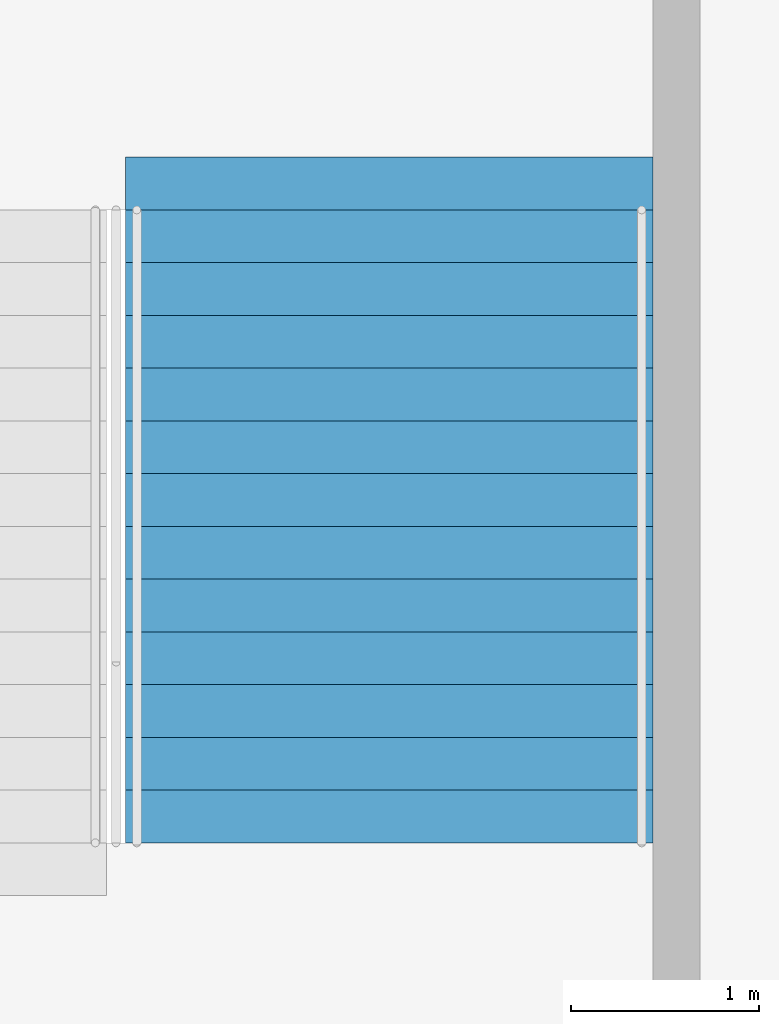
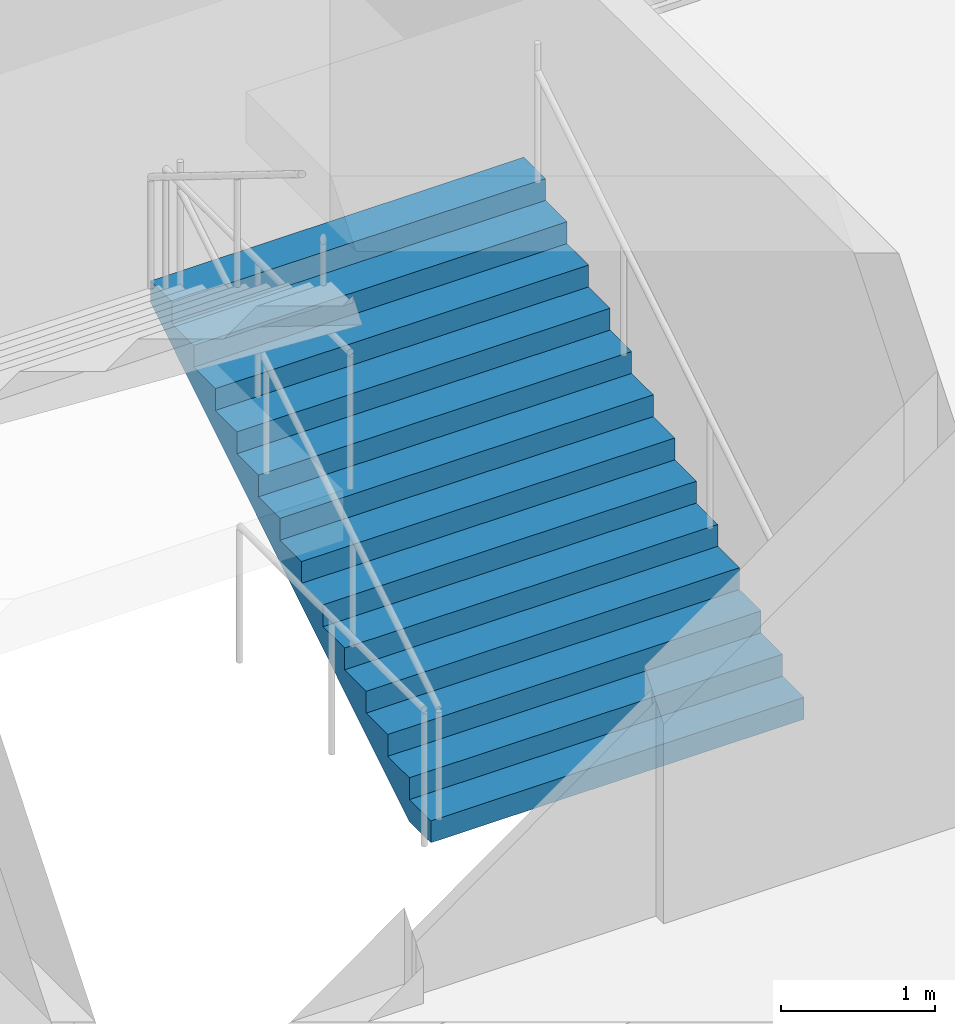
# One storey, part 169 of 199: 1 stair flight, 1 element without a shape of its own.
"""IFC4 building model written with IfcOpenShell, lengths in metres."""

from ifc_helpers import new_model, si_unit, direction, frame, origin, place, context, subcontext, project, spatial, faceted_brep, material, type_object, element, aggregate, save


model = new_model("IFC4")

# Units and contexts
model_context = context("Model", 3, precision=1e-05, world=origin(), true_north=direction((0.0, 1.0)))
body_context = subcontext(model_context, "Body", "Model", "MODEL_VIEW")
ifc_project = project(units=[si_unit("LENGTHUNIT", "METRE"), si_unit("AREAUNIT", "SQUARE_METRE"), si_unit("VOLUMEUNIT", "CUBIC_METRE"), si_unit("PLANEANGLEUNIT", "RADIAN"), si_unit("MASSUNIT", "GRAM", prefix="KILO")], contexts=[model_context])

# Site, building, storey
site_placement = place(None, origin())
site = spatial("IfcSite", under=ifc_project, at=site_placement, CompositionType="ELEMENT")
building_placement = place(site_placement, origin())
building = spatial("IfcBuilding", under=site, at=building_placement, Name="Ogive Plaza Stadium", CompositionType="ELEMENT")
storey_placement = place(building_placement, frame((0.0, 0.0, 4.5)))
storey = spatial("IfcBuildingStorey", under=building, at=storey_placement, Name="L01", CompositionType="ELEMENT", Elevation=4.5)

# Stair, stair flight
ifc_material_1 = material(Name="Concrete C40/50", Category="concrete")
stair_type = type_object("IfcStairType", Name="Exit stair", PredefinedType="STRAIGHT_RUN_STAIR", material=ifc_material_1)
stair_placement = place(storey_placement, origin())
stair = element("IfcStair", 1, at=stair_placement, inside=storey, type_object=stair_type, Name="Exit stair ST34A L01 to L02", PredefinedType="STRAIGHT_RUN_STAIR")
ifc_material_2 = material(Name="Concrete C40/50", Category="concrete")
stair_flight_type = type_object("IfcStairFlightType", Name="Exit stair flight", PredefinedType="STRAIGHT", material=ifc_material_2)
stair_flight_placement = place(storey_placement, frame((-2.375, 94.85009765625, 0.0), z_axis=(0.0, 0.0, 1.0), x_axis=(0.0, 1.0, 0.0)))
stair_flight = element("IfcStairFlight", 2, at=stair_flight_placement, type_object=stair_flight_type, Name="ST34A flight 1", NumberOfRisers=13, NumberOfTreads=12, PredefinedType="STRAIGHT", RiserHeight=0.173076923, TreadLength=0.28, context=body_context, shape_type="Brep", body=[
    faceted_brep([(0.28515625, -1.39990234375, 0.0), (3.639892578125, -1.39990234375, 2.07373046875), (3.639892578125, -1.39990234375, 2.25), (3.360107421875, -1.39990234375, 2.25), (3.360107421875, -1.39990234375, 2.076904296875), (3.080078125, -1.39990234375, 2.076904296875), (3.080078125, -1.39990234375, 1.90380859375), (2.800048828125, -1.39990234375, 1.90380859375), (2.800048828125, -1.39990234375, 1.730712890625), (2.52001953125, -1.39990234375, 1.730712890625), (2.52001953125, -1.39990234375, 1.5576171875), (2.239990234375, -1.39990234375, 1.5576171875), (2.239990234375, -1.39990234375, 1.384521484375), (1.9599609375, -1.39990234375, 1.384521484375), (1.9599609375, -1.39990234375, 1.21142578125), (1.679931640625, -1.39990234375, 1.21142578125), (1.679931640625, -1.39990234375, 1.03857421875), (1.39990234375, -1.39990234375, 1.03857421875), (1.39990234375, -1.39990234375, 0.865478515625), (1.1201171875, -1.39990234375, 0.865478515625), (1.1201171875, -1.39990234375, 0.6923828125), (0.840087890625, -1.39990234375, 0.6923828125), (0.840087890625, -1.39990234375, 0.519287109375), (0.56005859375, -1.39990234375, 0.519287109375), (0.56005859375, -1.39990234375, 0.34619140625), (0.280029296875, -1.39990234375, 0.34619140625), (0.280029296875, -1.39990234375, 0.173095703125), (0.0, -1.39990234375, 0.173095703125), (0.0, -1.39990234375, 0.0), (0.0, 1.39990234375, 0.0), (0.0, 1.39990234375, 0.173095703125), (0.280029296875, 1.39990234375, 0.173095703125), (0.280029296875, 1.39990234375, 0.34619140625), (0.56005859375, 1.39990234375, 0.34619140625), (0.56005859375, 1.39990234375, 0.519287109375), (0.840087890625, 1.39990234375, 0.519287109375), (0.840087890625, 1.39990234375, 0.6923828125), (1.1201171875, 1.39990234375, 0.6923828125), (1.1201171875, 1.39990234375, 0.865478515625), (1.39990234375, 1.39990234375, 0.865478515625), (1.39990234375, 1.39990234375, 1.03857421875), (1.679931640625, 1.39990234375, 1.03857421875), (1.679931640625, 1.39990234375, 1.21142578125), (1.9599609375, 1.39990234375, 1.21142578125), (1.9599609375, 1.39990234375, 1.384521484375), (2.239990234375, 1.39990234375, 1.384521484375), (2.239990234375, 1.39990234375, 1.5576171875), (2.52001953125, 1.39990234375, 1.5576171875), (2.52001953125, 1.39990234375, 1.730712890625), (2.800048828125, 1.39990234375, 1.730712890625), (2.800048828125, 1.39990234375, 1.90380859375), (3.080078125, 1.39990234375, 1.90380859375), (3.080078125, 1.39990234375, 2.076904296875), (3.360107421875, 1.39990234375, 2.076904296875), (3.360107421875, 1.39990234375, 2.25), (3.639892578125, 1.39990234375, 2.25), (3.639892578125, 1.39990234375, 2.07373046875), (0.28515625, 1.39990234375, 0.0), (0.28515625, -1.0888671875, 0.0), (3.639892578125, -1.0888671875, 2.07373046875), (0.28515625, -0.77783203125, 0.0), (3.639892578125, -0.77783203125, 2.07373046875), (0.28515625, -0.466796875, 0.0), (3.639892578125, -0.466796875, 2.07373046875), (0.28515625, -0.155517578125, 0.0), (3.639892578125, -0.155517578125, 2.07373046875), (0.28515625, 0.155517578125, 0.0), (3.639892578125, 0.155517578125, 2.07373046875), (0.28515625, 0.466796875, 0.0), (3.639892578125, 0.466796875, 2.07373046875), (0.28515625, 0.77783203125, 0.0), (3.639892578125, 0.77783203125, 2.07373046875), (0.28515625, 1.0888671875, 0.0), (3.639892578125, 1.0888671875, 2.07373046875), (3.639892578125, -1.0888671875, 2.25), (3.639892578125, -0.77783203125, 2.25), (3.639892578125, -0.466796875, 2.25), (3.639892578125, -0.155517578125, 2.25), (3.639892578125, 0.155517578125, 2.25), (3.639892578125, 0.466796875, 2.25), (3.639892578125, 0.77783203125, 2.25), (3.639892578125, 1.0888671875, 2.25), (3.360107421875, -1.0888671875, 2.25), (3.360107421875, -0.77783203125, 2.25), (3.360107421875, -0.466796875, 2.25), (3.360107421875, -0.155517578125, 2.25), (3.360107421875, 0.155517578125, 2.25), (3.360107421875, 0.466796875, 2.25), (3.360107421875, 0.77783203125, 2.25), (3.360107421875, 1.0888671875, 2.25), (3.360107421875, -1.0888671875, 2.076904296875), (3.360107421875, -0.77783203125, 2.076904296875), (3.360107421875, -0.466796875, 2.076904296875), (3.360107421875, -0.155517578125, 2.076904296875), (3.360107421875, 0.155517578125, 2.076904296875), (3.360107421875, 0.466796875, 2.076904296875), (3.360107421875, 0.77783203125, 2.076904296875), (3.360107421875, 1.0888671875, 2.076904296875), (3.080078125, -1.0888671875, 2.076904296875), (3.080078125, -0.77783203125, 2.076904296875), (3.080078125, -0.466796875, 2.076904296875), (3.080078125, -0.155517578125, 2.076904296875), (3.080078125, 0.155517578125, 2.076904296875), (3.080078125, 0.466796875, 2.076904296875), (3.080078125, 0.77783203125, 2.076904296875), (3.080078125, 1.0888671875, 2.076904296875), (3.080078125, -1.0888671875, 1.90380859375), (3.080078125, -0.77783203125, 1.90380859375), (3.080078125, -0.466796875, 1.90380859375), (3.080078125, -0.155517578125, 1.90380859375), (3.080078125, 0.155517578125, 1.90380859375), (3.080078125, 0.466796875, 1.90380859375), (3.080078125, 0.77783203125, 1.90380859375), (3.080078125, 1.0888671875, 1.90380859375), (2.800048828125, -1.0888671875, 1.90380859375), (2.800048828125, -0.77783203125, 1.90380859375), (2.800048828125, -0.466796875, 1.90380859375), (2.800048828125, -0.155517578125, 1.90380859375), (2.800048828125, 0.155517578125, 1.90380859375), (2.800048828125, 0.466796875, 1.90380859375), (2.800048828125, 0.77783203125, 1.90380859375), (2.800048828125, 1.0888671875, 1.90380859375), (2.800048828125, -1.0888671875, 1.730712890625), (2.800048828125, -0.77783203125, 1.730712890625), (2.800048828125, -0.466796875, 1.730712890625), (2.800048828125, -0.155517578125, 1.730712890625), (2.800048828125, 0.155517578125, 1.730712890625), (2.800048828125, 0.466796875, 1.730712890625), (2.800048828125, 0.77783203125, 1.730712890625), (2.800048828125, 1.0888671875, 1.730712890625), (2.52001953125, -1.0888671875, 1.730712890625), (2.52001953125, -0.77783203125, 1.730712890625), (2.52001953125, -0.466796875, 1.730712890625), (2.52001953125, -0.155517578125, 1.730712890625), (2.52001953125, 0.155517578125, 1.730712890625), (2.52001953125, 0.466796875, 1.730712890625), (2.52001953125, 0.77783203125, 1.730712890625), (2.52001953125, 1.0888671875, 1.730712890625), (2.52001953125, -1.0888671875, 1.5576171875), (2.52001953125, -0.77783203125, 1.5576171875), (2.52001953125, -0.466796875, 1.5576171875), (2.52001953125, -0.155517578125, 1.5576171875), (2.52001953125, 0.155517578125, 1.5576171875), (2.52001953125, 0.466796875, 1.5576171875), (2.52001953125, 0.77783203125, 1.5576171875), (2.52001953125, 1.0888671875, 1.5576171875), (2.239990234375, -1.0888671875, 1.5576171875), (2.239990234375, -0.77783203125, 1.5576171875), (2.239990234375, -0.466796875, 1.5576171875), (2.239990234375, -0.155517578125, 1.5576171875), (2.239990234375, 0.155517578125, 1.5576171875), (2.239990234375, 0.466796875, 1.5576171875), (2.239990234375, 0.77783203125, 1.5576171875), (2.239990234375, 1.0888671875, 1.5576171875), (2.239990234375, -1.0888671875, 1.384521484375), (2.239990234375, -0.77783203125, 1.384521484375), (2.239990234375, -0.466796875, 1.384521484375), (2.239990234375, -0.155517578125, 1.384521484375), (2.239990234375, 0.155517578125, 1.384521484375), (2.239990234375, 0.466796875, 1.384521484375), (2.239990234375, 0.77783203125, 1.384521484375), (2.239990234375, 1.0888671875, 1.384521484375), (1.9599609375, -1.0888671875, 1.384521484375), (1.9599609375, -0.77783203125, 1.384521484375), (1.9599609375, -0.466796875, 1.384521484375), (1.9599609375, -0.155517578125, 1.384521484375), (1.9599609375, 0.155517578125, 1.384521484375), (1.9599609375, 0.466796875, 1.384521484375), (1.9599609375, 0.77783203125, 1.384521484375), (1.9599609375, 1.0888671875, 1.384521484375), (1.9599609375, -1.0888671875, 1.21142578125), (1.9599609375, -0.77783203125, 1.21142578125), (1.9599609375, -0.466796875, 1.21142578125), (1.9599609375, -0.155517578125, 1.21142578125), (1.9599609375, 0.155517578125, 1.21142578125), (1.9599609375, 0.466796875, 1.21142578125), (1.9599609375, 0.77783203125, 1.21142578125), (1.9599609375, 1.0888671875, 1.21142578125), (1.679931640625, -1.0888671875, 1.21142578125), (1.679931640625, -0.77783203125, 1.21142578125), (1.679931640625, -0.466796875, 1.21142578125), (1.679931640625, -0.155517578125, 1.21142578125), (1.679931640625, 0.155517578125, 1.21142578125), (1.679931640625, 0.466796875, 1.21142578125), (1.679931640625, 0.77783203125, 1.21142578125), (1.679931640625, 1.0888671875, 1.21142578125), (1.679931640625, -1.0888671875, 1.03857421875), (1.679931640625, -0.77783203125, 1.03857421875), (1.679931640625, -0.466796875, 1.03857421875), (1.679931640625, -0.155517578125, 1.03857421875), (1.679931640625, 0.155517578125, 1.03857421875), (1.679931640625, 0.466796875, 1.03857421875), (1.679931640625, 0.77783203125, 1.03857421875), (1.679931640625, 1.0888671875, 1.03857421875), (1.39990234375, -1.0888671875, 1.03857421875), (1.39990234375, -0.77783203125, 1.03857421875), (1.39990234375, -0.466796875, 1.03857421875), (1.39990234375, -0.155517578125, 1.03857421875), (1.39990234375, 0.155517578125, 1.03857421875), (1.39990234375, 0.466796875, 1.03857421875), (1.39990234375, 0.77783203125, 1.03857421875), (1.39990234375, 1.0888671875, 1.03857421875), (1.39990234375, -1.0888671875, 0.865478515625), (1.39990234375, -0.77783203125, 0.865478515625), (1.39990234375, -0.466796875, 0.865478515625), (1.39990234375, -0.155517578125, 0.865478515625), (1.39990234375, 0.155517578125, 0.865478515625), (1.39990234375, 0.466796875, 0.865478515625), (1.39990234375, 0.77783203125, 0.865478515625), (1.39990234375, 1.0888671875, 0.865478515625), (1.1201171875, -1.0888671875, 0.865478515625), (1.1201171875, -0.77783203125, 0.865478515625), (1.1201171875, -0.466796875, 0.865478515625), (1.1201171875, -0.155517578125, 0.865478515625), (1.1201171875, 0.155517578125, 0.865478515625), (1.1201171875, 0.466796875, 0.865478515625), (1.1201171875, 0.77783203125, 0.865478515625), (1.1201171875, 1.0888671875, 0.865478515625), (1.1201171875, -1.0888671875, 0.6923828125), (1.1201171875, -0.77783203125, 0.6923828125), (1.1201171875, -0.466796875, 0.6923828125), (1.1201171875, -0.155517578125, 0.6923828125), (1.1201171875, 0.155517578125, 0.6923828125), (1.1201171875, 0.466796875, 0.6923828125), (1.1201171875, 0.77783203125, 0.6923828125), (1.1201171875, 1.0888671875, 0.6923828125), (0.840087890625, -1.0888671875, 0.6923828125), (0.840087890625, -0.77783203125, 0.6923828125), (0.840087890625, -0.466796875, 0.6923828125), (0.840087890625, -0.155517578125, 0.6923828125), (0.840087890625, 0.155517578125, 0.6923828125), (0.840087890625, 0.466796875, 0.6923828125), (0.840087890625, 0.77783203125, 0.6923828125), (0.840087890625, 1.0888671875, 0.6923828125), (0.840087890625, -1.0888671875, 0.519287109375), (0.840087890625, -0.77783203125, 0.519287109375), (0.840087890625, -0.466796875, 0.519287109375), (0.840087890625, -0.155517578125, 0.519287109375), (0.840087890625, 0.155517578125, 0.519287109375), (0.840087890625, 0.466796875, 0.519287109375), (0.840087890625, 0.77783203125, 0.519287109375), (0.840087890625, 1.0888671875, 0.519287109375), (0.56005859375, -1.0888671875, 0.519287109375), (0.56005859375, -0.77783203125, 0.519287109375), (0.56005859375, -0.466796875, 0.519287109375), (0.56005859375, -0.155517578125, 0.519287109375), (0.56005859375, 0.155517578125, 0.519287109375), (0.56005859375, 0.466796875, 0.519287109375), (0.56005859375, 0.77783203125, 0.519287109375), (0.56005859375, 1.0888671875, 0.519287109375), (0.56005859375, -1.0888671875, 0.34619140625), (0.56005859375, -0.77783203125, 0.34619140625), (0.56005859375, -0.466796875, 0.34619140625), (0.56005859375, -0.155517578125, 0.34619140625), (0.56005859375, 0.155517578125, 0.34619140625), (0.56005859375, 0.466796875, 0.34619140625), (0.56005859375, 0.77783203125, 0.34619140625), (0.56005859375, 1.0888671875, 0.34619140625), (0.280029296875, -1.0888671875, 0.34619140625), (0.280029296875, -0.77783203125, 0.34619140625), (0.280029296875, -0.466796875, 0.34619140625), (0.280029296875, -0.155517578125, 0.34619140625), (0.280029296875, 0.155517578125, 0.34619140625), (0.280029296875, 0.466796875, 0.34619140625), (0.280029296875, 0.77783203125, 0.34619140625), (0.280029296875, 1.0888671875, 0.34619140625), (0.280029296875, -1.0888671875, 0.173095703125), (0.280029296875, -0.77783203125, 0.173095703125), (0.280029296875, -0.466796875, 0.173095703125), (0.280029296875, -0.155517578125, 0.173095703125), (0.280029296875, 0.155517578125, 0.173095703125), (0.280029296875, 0.466796875, 0.173095703125), (0.280029296875, 0.77783203125, 0.173095703125), (0.280029296875, 1.0888671875, 0.173095703125), (0.0, -1.0888671875, 0.173095703125), (0.0, -0.77783203125, 0.173095703125), (0.0, -0.466796875, 0.173095703125), (0.0, -0.155517578125, 0.173095703125), (0.0, 0.155517578125, 0.173095703125), (0.0, 0.466796875, 0.173095703125), (0.0, 0.77783203125, 0.173095703125), (0.0, 1.0888671875, 0.173095703125), (0.0, -1.0888671875, 0.0), (0.0, -0.77783203125, 0.0), (0.0, -0.466796875, 0.0), (0.0, -0.155517578125, 0.0), (0.0, 0.155517578125, 0.0), (0.0, 0.466796875, 0.0), (0.0, 0.77783203125, 0.0), (0.0, 1.0888671875, 0.0)], [[[0, 1, 2, 3, 4, 5, 6, 7, 8, 9, 10, 11, 12, 13, 14, 15, 16, 17, 18, 19, 20, 21, 22, 23, 24, 25, 26, 27, 28]], [[29, 30, 31, 32, 33, 34, 35, 36, 37, 38, 39, 40, 41, 42, 43, 44, 45, 46, 47, 48, 49, 50, 51, 52, 53, 54, 55, 56, 57]], [[0, 58, 59, 1]], [[58, 60, 61, 59]], [[60, 62, 63, 61]], [[62, 64, 65, 63]], [[64, 66, 67, 65]], [[66, 68, 69, 67]], [[68, 70, 71, 69]], [[70, 72, 73, 71]], [[72, 57, 56, 73]], [[1, 59, 74, 2]], [[59, 61, 75, 74]], [[61, 63, 76, 75]], [[63, 65, 77, 76]], [[65, 67, 78, 77]], [[67, 69, 79, 78]], [[69, 71, 80, 79]], [[71, 73, 81, 80]], [[73, 56, 55, 81]], [[2, 74, 82, 3]], [[74, 75, 83, 82]], [[75, 76, 84, 83]], [[76, 77, 85, 84]], [[77, 78, 86, 85]], [[78, 79, 87, 86]], [[79, 80, 88, 87]], [[80, 81, 89, 88]], [[81, 55, 54, 89]], [[3, 82, 90, 4]], [[82, 83, 91, 90]], [[83, 84, 92, 91]], [[84, 85, 93, 92]], [[85, 86, 94, 93]], [[86, 87, 95, 94]], [[87, 88, 96, 95]], [[88, 89, 97, 96]], [[89, 54, 53, 97]], [[4, 90, 98, 5]], [[90, 91, 99, 98]], [[91, 92, 100, 99]], [[92, 93, 101, 100]], [[93, 94, 102, 101]], [[94, 95, 103, 102]], [[95, 96, 104, 103]], [[96, 97, 105, 104]], [[97, 53, 52, 105]], [[5, 98, 106, 6]], [[98, 99, 107, 106]], [[99, 100, 108, 107]], [[100, 101, 109, 108]], [[101, 102, 110, 109]], [[102, 103, 111, 110]], [[103, 104, 112, 111]], [[104, 105, 113, 112]], [[105, 52, 51, 113]], [[6, 106, 114, 7]], [[106, 107, 115, 114]], [[107, 108, 116, 115]], [[108, 109, 117, 116]], [[109, 110, 118, 117]], [[110, 111, 119, 118]], [[111, 112, 120, 119]], [[112, 113, 121, 120]], [[113, 51, 50, 121]], [[7, 114, 122, 8]], [[114, 115, 123, 122]], [[115, 116, 124, 123]], [[116, 117, 125, 124]], [[117, 118, 126, 125]], [[118, 119, 127, 126]], [[119, 120, 128, 127]], [[120, 121, 129, 128]], [[121, 50, 49, 129]], [[8, 122, 130, 9]], [[122, 123, 131, 130]], [[123, 124, 132, 131]], [[124, 125, 133, 132]], [[125, 126, 134, 133]], [[126, 127, 135, 134]], [[127, 128, 136, 135]], [[128, 129, 137, 136]], [[129, 49, 48, 137]], [[9, 130, 138, 10]], [[130, 131, 139, 138]], [[131, 132, 140, 139]], [[132, 133, 141, 140]], [[133, 134, 142, 141]], [[134, 135, 143, 142]], [[135, 136, 144, 143]], [[136, 137, 145, 144]], [[137, 48, 47, 145]], [[10, 138, 146, 11]], [[138, 139, 147, 146]], [[139, 140, 148, 147]], [[140, 141, 149, 148]], [[141, 142, 150, 149]], [[142, 143, 151, 150]], [[143, 144, 152, 151]], [[144, 145, 153, 152]], [[145, 47, 46, 153]], [[11, 146, 154, 12]], [[146, 147, 155, 154]], [[147, 148, 156, 155]], [[148, 149, 157, 156]], [[149, 150, 158, 157]], [[150, 151, 159, 158]], [[151, 152, 160, 159]], [[152, 153, 161, 160]], [[153, 46, 45, 161]], [[12, 154, 162, 13]], [[154, 155, 163, 162]], [[155, 156, 164, 163]], [[156, 157, 165, 164]], [[157, 158, 166, 165]], [[158, 159, 167, 166]], [[159, 160, 168, 167]], [[160, 161, 169, 168]], [[161, 45, 44, 169]], [[13, 162, 170, 14]], [[162, 163, 171, 170]], [[163, 164, 172, 171]], [[164, 165, 173, 172]], [[165, 166, 174, 173]], [[166, 167, 175, 174]], [[167, 168, 176, 175]], [[168, 169, 177, 176]], [[169, 44, 43, 177]], [[14, 170, 178, 15]], [[170, 171, 179, 178]], [[171, 172, 180, 179]], [[172, 173, 181, 180]], [[173, 174, 182, 181]], [[174, 175, 183, 182]], [[175, 176, 184, 183]], [[176, 177, 185, 184]], [[177, 43, 42, 185]], [[15, 178, 186, 16]], [[178, 179, 187, 186]], [[179, 180, 188, 187]], [[180, 181, 189, 188]], [[181, 182, 190, 189]], [[182, 183, 191, 190]], [[183, 184, 192, 191]], [[184, 185, 193, 192]], [[185, 42, 41, 193]], [[16, 186, 194, 17]], [[186, 187, 195, 194]], [[187, 188, 196, 195]], [[188, 189, 197, 196]], [[189, 190, 198, 197]], [[190, 191, 199, 198]], [[191, 192, 200, 199]], [[192, 193, 201, 200]], [[193, 41, 40, 201]], [[17, 194, 202, 18]], [[194, 195, 203, 202]], [[195, 196, 204, 203]], [[196, 197, 205, 204]], [[197, 198, 206, 205]], [[198, 199, 207, 206]], [[199, 200, 208, 207]], [[200, 201, 209, 208]], [[201, 40, 39, 209]], [[18, 202, 210, 19]], [[202, 203, 211, 210]], [[203, 204, 212, 211]], [[204, 205, 213, 212]], [[205, 206, 214, 213]], [[206, 207, 215, 214]], [[207, 208, 216, 215]], [[208, 209, 217, 216]], [[209, 39, 38, 217]], [[19, 210, 218, 20]], [[210, 211, 219, 218]], [[211, 212, 220, 219]], [[212, 213, 221, 220]], [[213, 214, 222, 221]], [[214, 215, 223, 222]], [[215, 216, 224, 223]], [[216, 217, 225, 224]], [[217, 38, 37, 225]], [[20, 218, 226, 21]], [[218, 219, 227, 226]], [[219, 220, 228, 227]], [[220, 221, 229, 228]], [[221, 222, 230, 229]], [[222, 223, 231, 230]], [[223, 224, 232, 231]], [[224, 225, 233, 232]], [[225, 37, 36, 233]], [[21, 226, 234, 22]], [[226, 227, 235, 234]], [[227, 228, 236, 235]], [[228, 229, 237, 236]], [[229, 230, 238, 237]], [[230, 231, 239, 238]], [[231, 232, 240, 239]], [[232, 233, 241, 240]], [[233, 36, 35, 241]], [[22, 234, 242, 23]], [[234, 235, 243, 242]], [[235, 236, 244, 243]], [[236, 237, 245, 244]], [[237, 238, 246, 245]], [[238, 239, 247, 246]], [[239, 240, 248, 247]], [[240, 241, 249, 248]], [[241, 35, 34, 249]], [[23, 242, 250, 24]], [[242, 243, 251, 250]], [[243, 244, 252, 251]], [[244, 245, 253, 252]], [[245, 246, 254, 253]], [[246, 247, 255, 254]], [[247, 248, 256, 255]], [[248, 249, 257, 256]], [[249, 34, 33, 257]], [[24, 250, 258, 25]], [[250, 251, 259, 258]], [[251, 252, 260, 259]], [[252, 253, 261, 260]], [[253, 254, 262, 261]], [[254, 255, 263, 262]], [[255, 256, 264, 263]], [[256, 257, 265, 264]], [[257, 33, 32, 265]], [[25, 258, 266, 26]], [[258, 259, 267, 266]], [[259, 260, 268, 267]], [[260, 261, 269, 268]], [[261, 262, 270, 269]], [[262, 263, 271, 270]], [[263, 264, 272, 271]], [[264, 265, 273, 272]], [[265, 32, 31, 273]], [[26, 266, 274, 27]], [[266, 267, 275, 274]], [[267, 268, 276, 275]], [[268, 269, 277, 276]], [[269, 270, 278, 277]], [[270, 271, 279, 278]], [[271, 272, 280, 279]], [[272, 273, 281, 280]], [[273, 31, 30, 281]], [[27, 274, 282, 28]], [[274, 275, 283, 282]], [[275, 276, 284, 283]], [[276, 277, 285, 284]], [[277, 278, 286, 285]], [[278, 279, 287, 286]], [[279, 280, 288, 287]], [[280, 281, 289, 288]], [[281, 30, 29, 289]], [[28, 282, 58, 0]], [[282, 283, 60, 58]], [[283, 284, 62, 60]], [[284, 285, 64, 62]], [[285, 286, 66, 64]], [[286, 287, 68, 66]], [[287, 288, 70, 68]], [[288, 289, 72, 70]], [[289, 29, 57, 72]]]),
])
aggregate(stair, [stair_flight])

save(model, "model.ifc")
